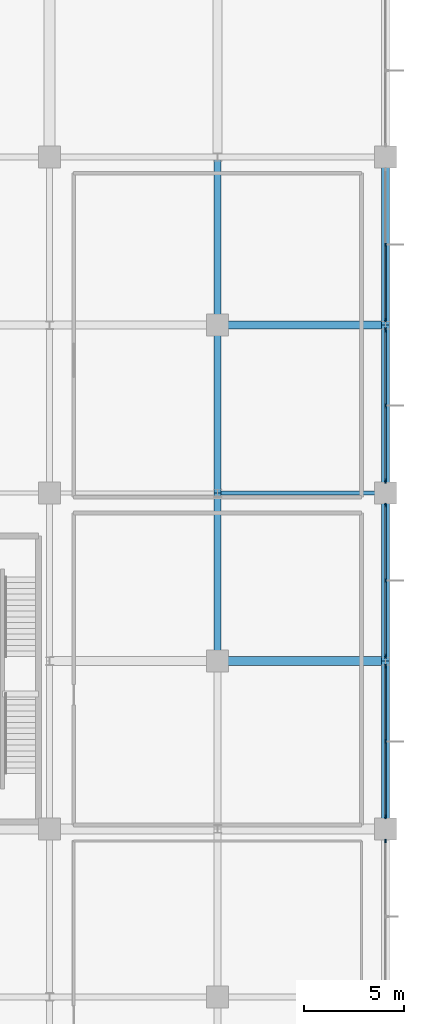
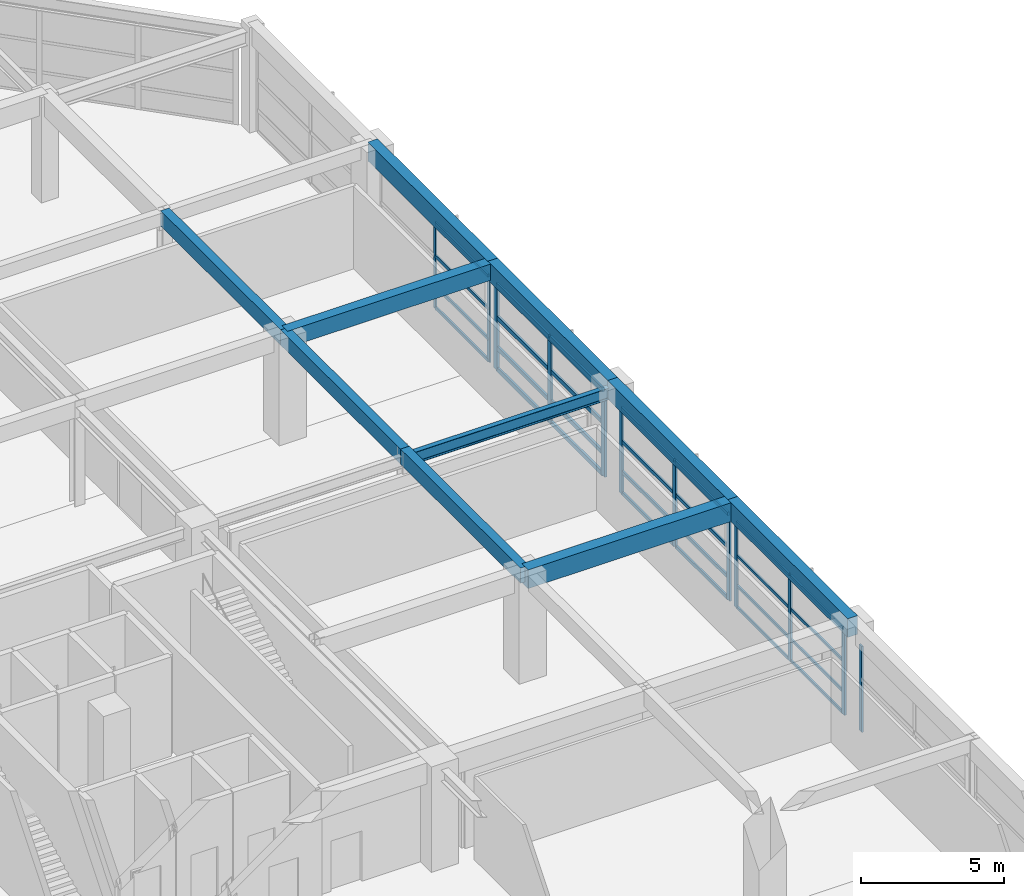
# One storey, part 38 of 62: 40 members, 10 beams, 5 elements without a shape of their own.
"""IFC4 building model written with IfcOpenShell, lengths in metres."""

from ifc_helpers import new_model, si_unit, direction, frame, origin, origin_2d, place, context, subcontext, project, spatial, rectangle, i_section, extrude, material, material_profile, profile_set, type_object, element, aggregate, save


model = new_model("IFC4")

# Units and contexts
model_context = context("Model", 3, precision=1e-05, world=origin(), true_north=direction((0.0, 1.0)))
body_context = subcontext(model_context, "Body", "Model", "MODEL_VIEW")
ifc_project = project(units=[si_unit("LENGTHUNIT", "METRE"), si_unit("AREAUNIT", "SQUARE_METRE"), si_unit("VOLUMEUNIT", "CUBIC_METRE"), si_unit("PLANEANGLEUNIT", "RADIAN"), si_unit("MASSUNIT", "GRAM", prefix="KILO")], contexts=[model_context])

# Site, building, storey
site_placement = place(None, origin())
site = spatial("IfcSite", under=ifc_project, at=site_placement, CompositionType="ELEMENT")
building_placement = place(site_placement, origin())
building = spatial("IfcBuilding", under=site, at=building_placement, Name="Xuanlan Plaza Opera House", CompositionType="ELEMENT")
storey_placement = place(building_placement, frame((0.0, 0.0, 14.39990234375)))
storey = spatial("IfcBuildingStorey", under=building, at=storey_placement, Name="L03", CompositionType="ELEMENT", Elevation=14.39990234375)

# Curtain wall, members
ifc_material_1 = material(Name="Anodised Aluminium 6063-T6 and Low-E Glass", Category="aluminium")
curtain_wall_type_1 = type_object("IfcCurtainWallType", Name="ENV-CW-CW-03", PredefinedType="USERDEFINED", material=ifc_material_1)
curtain_wall_1_placement = place(storey_placement, origin())
curtain_wall_1 = element("IfcCurtainWall", 1, at=curtain_wall_1_placement, inside=storey, type_object=curtain_wall_type_1, Name="Unitised Curtain Wall L03-026", ObjectType="UNITISED CURTAIN WALL", PredefinedType="USERDEFINED")
ifc_material_2 = material(Name="Anodised Aluminium 6063-T6", Category="aluminium")
ifc_material_profile_1 = material_profile(ifc_material_2, rectangle(XDim=0.06494140625, YDim=0.159912109375, at=origin_2d()), Name="ALU-M 65x160")
ifc_profile_set_1 = profile_set([ifc_material_profile_1], Name="Anodised Aluminium 6063-T6")
member_type_1 = type_object("IfcMemberType", Name="ENV-CWM-01", PredefinedType="MULLION", material=ifc_profile_set_1)
member_1_placement = place(storey_placement, frame((168.0, 75.8525390625, 0.0), z_axis=(0.0, 0.0, 1.0), x_axis=(-1.0, 0.0, 0.0)))
member_1 = element("IfcMember", 2, at=member_1_placement, type_object=member_type_1, Name="CW-03 mullion 1", PredefinedType="MULLION", context=body_context, shape_type="SweptSolid", body=[
    extrude(rectangle(XDim=0.06494140625, YDim=0.159912109375, at=origin_2d()), origin(), (0.0, 0.0, 1.0), 3.68017578125),
])
member_2_placement = place(storey_placement, frame((168.0, 79.625, 0.0), z_axis=(0.0, 0.0, 1.0), x_axis=(-1.0, 0.0, 0.0)))
member_2 = element("IfcMember", 3, at=member_2_placement, type_object=member_type_1, Name="CW-03 mullion 2", PredefinedType="MULLION", context=body_context, shape_type="SweptSolid", body=[
    extrude(rectangle(XDim=0.06494140625, YDim=0.159912109375, at=origin_2d()), origin(), (0.0, 0.0, 1.0), 3.68017578125),
])

# Curtain wall, member
curtain_wall_2_placement = place(storey_placement, origin())
curtain_wall_2 = element("IfcCurtainWall", 4, at=curtain_wall_2_placement, inside=storey, type_object=curtain_wall_type_1, Name="Unitised Curtain Wall L03-022", ObjectType="UNITISED CURTAIN WALL", PredefinedType="USERDEFINED")
ifc_material_profile_2 = material_profile(ifc_material_2, rectangle(XDim=0.070068359375, YDim=0.179931640625, at=origin_2d()), Name="ALU-M 70x180")
ifc_profile_set_2 = profile_set([ifc_material_profile_2], Name="Anodised Aluminium 6063-T6")
member_type_2 = type_object("IfcMemberType", Name="ENV-CWM-02", PredefinedType="MULLION", material=ifc_profile_set_2)
member_3_placement = place(storey_placement, frame((168.0, 49.794921875, 0.0), z_axis=(0.0, 0.0, 1.0), x_axis=(-1.0, 0.0, 0.0)))
member_3 = element("IfcMember", 5, at=member_3_placement, type_object=member_type_2, Name="CW-03 mullion 3", PredefinedType="MULLION", context=body_context, shape_type="SweptSolid", body=[
    extrude(rectangle(XDim=0.070068359375, YDim=0.179931640625, at=origin_2d()), origin(), (0.0, 0.0, 1.0), 3.68017578125),
])
aggregate(curtain_wall_2, [member_3])

# Curtain wall, members
curtain_wall_type_2 = type_object("IfcCurtainWallType", Name="ENV-CW-CW-04", PredefinedType="USERDEFINED", material=ifc_material_1)
curtain_wall_3_placement = place(storey_placement, origin())
curtain_wall_3 = element("IfcCurtainWall", 6, at=curtain_wall_3_placement, inside=storey, type_object=curtain_wall_type_2, Name="Unitised Curtain Wall L03-023", ObjectType="UNITISED CURTAIN WALL", PredefinedType="USERDEFINED")
ifc_material_profile_3 = material_profile(ifc_material_2, rectangle(XDim=0.074951171875, YDim=0.199951171875, at=origin_2d()), Name="ALU-M 75x200")
ifc_profile_set_3 = profile_set([ifc_material_profile_3], Name="Anodised Aluminium 6063-T6")
member_type_3 = type_object("IfcMemberType", Name="ENV-CWM-03", PredefinedType="MULLION", material=ifc_profile_set_3)
member_4_placement = place(storey_placement, frame((168.0, 51.007568359375, 0.0), z_axis=(0.0, 0.0, 1.0), x_axis=(-1.0, 0.0, 0.0)))
member_4 = element("IfcMember", 7, at=member_4_placement, type_object=member_type_3, Name="CW-04 mullion 1", PredefinedType="MULLION", context=body_context, shape_type="SweptSolid", body=[
    extrude(rectangle(XDim=0.074951171875, YDim=0.199951171875, at=origin_2d()), origin(), (0.0, 0.0, 1.0), 3.68017578125),
])
member_5_placement = place(storey_placement, frame((168.0, 54.77490234375, 0.0), z_axis=(0.0, 0.0, 1.0), x_axis=(-1.0, 0.0, 0.0)))
member_5 = element("IfcMember", 8, at=member_5_placement, type_object=member_type_3, Name="CW-04 mullion 2", PredefinedType="MULLION", context=body_context, shape_type="SweptSolid", body=[
    extrude(rectangle(XDim=0.074951171875, YDim=0.199951171875, at=origin_2d()), origin(), (0.0, 0.0, 1.0), 3.68017578125),
])
member_6_placement = place(storey_placement, frame((168.0, 58.54248046875, 0.0), z_axis=(0.0, 0.0, 1.0), x_axis=(-1.0, 0.0, 0.0)))
member_6 = element("IfcMember", 9, at=member_6_placement, type_object=member_type_3, Name="CW-04 mullion 3", PredefinedType="MULLION", context=body_context, shape_type="SweptSolid", body=[
    extrude(rectangle(XDim=0.074951171875, YDim=0.199951171875, at=origin_2d()), origin(), (0.0, 0.0, 1.0), 3.68017578125),
])

curtain_wall_type_3 = type_object("IfcCurtainWallType", Name="ENV-CW-CW-01", PredefinedType="USERDEFINED", material=ifc_material_1)
curtain_wall_4_placement = place(storey_placement, origin())
curtain_wall_4 = element("IfcCurtainWall", 10, at=curtain_wall_4_placement, inside=storey, type_object=curtain_wall_type_3, Name="Unitised Curtain Wall L03-024", ObjectType="UNITISED CURTAIN WALL", PredefinedType="USERDEFINED")
ifc_material_profile_4 = material_profile(ifc_material_2, rectangle(XDim=0.080078125, YDim=0.219970703125, at=origin_2d()), Name="ALU-M 80x220")
ifc_profile_set_4 = profile_set([ifc_material_profile_4], Name="Anodised Aluminium 6063-T6")
member_type_4 = type_object("IfcMemberType", Name="ENV-CWM-04", PredefinedType="MULLION", material=ifc_profile_set_4)
member_7_placement = place(storey_placement, frame((168.0, 59.06005859375, 0.0), z_axis=(0.0, 0.0, 1.0), x_axis=(-1.0, 0.0, 0.0)))
member_7 = element("IfcMember", 11, at=member_7_placement, type_object=member_type_4, Name="CW-01 mullion 1", PredefinedType="MULLION", context=body_context, shape_type="SweptSolid", body=[
    extrude(rectangle(XDim=0.080078125, YDim=0.219970703125, at=origin_2d()), origin(), (0.0, 0.0, 1.0), 3.68017578125),
])
member_8_placement = place(storey_placement, frame((168.0, 62.824951171875, 0.0), z_axis=(0.0, 0.0, 1.0), x_axis=(-1.0, 0.0, 0.0)))
member_8 = element("IfcMember", 12, at=member_8_placement, type_object=member_type_4, Name="CW-01 mullion 2", PredefinedType="MULLION", context=body_context, shape_type="SweptSolid", body=[
    extrude(rectangle(XDim=0.080078125, YDim=0.219970703125, at=origin_2d()), origin(), (0.0, 0.0, 1.0), 3.68017578125),
])
member_9_placement = place(storey_placement, frame((168.0, 66.590087890625, 0.0), z_axis=(0.0, 0.0, 1.0), x_axis=(-1.0, 0.0, 0.0)))
member_9 = element("IfcMember", 13, at=member_9_placement, type_object=member_type_4, Name="CW-01 mullion 3", PredefinedType="MULLION", context=body_context, shape_type="SweptSolid", body=[
    extrude(rectangle(XDim=0.080078125, YDim=0.219970703125, at=origin_2d()), origin(), (0.0, 0.0, 1.0), 3.68017578125),
])

curtain_wall_type_4 = type_object("IfcCurtainWallType", Name="ENV-CW-CW-02", PredefinedType="USERDEFINED", material=ifc_material_1)
curtain_wall_5_placement = place(storey_placement, origin())
curtain_wall_5 = element("IfcCurtainWall", 14, at=curtain_wall_5_placement, inside=storey, type_object=curtain_wall_type_4, Name="Unitised Curtain Wall L03-025", ObjectType="UNITISED CURTAIN WALL", PredefinedType="USERDEFINED")
ifc_material_profile_5 = material_profile(ifc_material_2, rectangle(XDim=0.090087890625, YDim=0.25, at=origin_2d()), Name="ALU-M 90x250")
ifc_profile_set_5 = profile_set([ifc_material_profile_5], Name="Anodised Aluminium 6063-T6")
member_type_5 = type_object("IfcMemberType", Name="ENV-CWM-05", PredefinedType="MULLION", material=ifc_profile_set_5)
member_10_placement = place(storey_placement, frame((168.0, 67.81494140625, 0.0), z_axis=(0.0, 0.0, 1.0), x_axis=(-1.0, 0.0, 0.0)))
member_10 = element("IfcMember", 15, at=member_10_placement, type_object=member_type_5, Name="CW-02 mullion 1", PredefinedType="MULLION", context=body_context, shape_type="SweptSolid", body=[
    extrude(rectangle(XDim=0.090087890625, YDim=0.25, at=origin_2d()), origin(), (0.0, 0.0, 1.0), 3.68017578125),
])
member_11_placement = place(storey_placement, frame((168.0, 71.574951171875, 0.0), z_axis=(0.0, 0.0, 1.0), x_axis=(-1.0, 0.0, 0.0)))
member_11 = element("IfcMember", 16, at=member_11_placement, type_object=member_type_5, Name="CW-02 mullion 2", PredefinedType="MULLION", context=body_context, shape_type="SweptSolid", body=[
    extrude(rectangle(XDim=0.090087890625, YDim=0.25, at=origin_2d()), origin(), (0.0, 0.0, 1.0), 3.68017578125),
])
member_12_placement = place(storey_placement, frame((168.0, 75.3349609375, 0.0), z_axis=(0.0, 0.0, 1.0), x_axis=(-1.0, 0.0, 0.0)))
member_12 = element("IfcMember", 17, at=member_12_placement, type_object=member_type_5, Name="CW-02 mullion 3", PredefinedType="MULLION", context=body_context, shape_type="SweptSolid", body=[
    extrude(rectangle(XDim=0.090087890625, YDim=0.25, at=origin_2d()), origin(), (0.0, 0.0, 1.0), 3.68017578125),
])

# Member
ifc_material_profile_6 = material_profile(ifc_material_2, rectangle(XDim=0.06494140625, YDim=0.1201171875, at=origin_2d()), Name="ALU-T 65x120")
ifc_profile_set_6 = profile_set([ifc_material_profile_6], Name="Anodised Aluminium 6063-T6")
member_type_6 = type_object("IfcMemberType", Name="ENV-CWT-01", PredefinedType="USERDEFINED", material=ifc_profile_set_6)
member_13_placement = place(storey_placement, frame((168.0, 51.044921875, 0.03271484375), z_axis=(0.0, 1.0, 0.0), x_axis=(-1.0, 0.0, 0.0)))
member_13 = element("IfcMember", 18, at=member_13_placement, type_object=member_type_6, Name="CW-04 transom 1.1", ObjectType="TRANSOM", PredefinedType="USERDEFINED", context=body_context, shape_type="SweptSolid", body=[
    extrude(rectangle(XDim=0.06494140625, YDim=0.1201171875, at=origin_2d()), origin(), (0.0, 0.0, 1.0), 3.692626953125),
])

member_14_placement = place(storey_placement, frame((168.0, 51.044921875, 0.9501953125), z_axis=(0.0, 1.0, 0.0), x_axis=(-1.0, 0.0, 0.0)))
member_14 = element("IfcMember", 19, at=member_14_placement, type_object=member_type_6, Name="CW-04 transom 1.2", ObjectType="TRANSOM", PredefinedType="USERDEFINED", context=body_context, shape_type="SweptSolid", body=[
    extrude(rectangle(XDim=0.06494140625, YDim=0.1201171875, at=origin_2d()), origin(), (0.0, 0.0, 1.0), 3.692626953125),
])

member_15_placement = place(storey_placement, frame((168.0, 51.044921875, 2.25), z_axis=(0.0, 1.0, 0.0), x_axis=(-1.0, 0.0, 0.0)))
member_15 = element("IfcMember", 20, at=member_15_placement, type_object=member_type_6, Name="CW-04 transom 1.3", ObjectType="TRANSOM", PredefinedType="USERDEFINED", context=body_context, shape_type="SweptSolid", body=[
    extrude(rectangle(XDim=0.06494140625, YDim=0.1201171875, at=origin_2d()), origin(), (0.0, 0.0, 1.0), 3.692626953125),
])

member_16_placement = place(storey_placement, frame((168.0, 51.044921875, 3.647705078125), z_axis=(0.0, 1.0, 0.0), x_axis=(-1.0, 0.0, 0.0)))
member_16 = element("IfcMember", 21, at=member_16_placement, type_object=member_type_6, Name="CW-04 transom 1.4", ObjectType="TRANSOM", PredefinedType="USERDEFINED", context=body_context, shape_type="SweptSolid", body=[
    extrude(rectangle(XDim=0.06494140625, YDim=0.1201171875, at=origin_2d()), origin(), (0.0, 0.0, 1.0), 3.692626953125),
])

member_17_placement = place(storey_placement, frame((168.0, 54.8125, 0.03271484375), z_axis=(0.0, 1.0, 0.0), x_axis=(-1.0, 0.0, 0.0)))
member_17 = element("IfcMember", 22, at=member_17_placement, type_object=member_type_6, Name="CW-04 transom 2.1", ObjectType="TRANSOM", PredefinedType="USERDEFINED", context=body_context, shape_type="SweptSolid", body=[
    extrude(rectangle(XDim=0.06494140625, YDim=0.1201171875, at=origin_2d()), origin(), (0.0, 0.0, 1.0), 3.6923828125),
])

member_18_placement = place(storey_placement, frame((168.0, 54.8125, 0.9501953125), z_axis=(0.0, 1.0, 0.0), x_axis=(-1.0, 0.0, 0.0)))
member_18 = element("IfcMember", 23, at=member_18_placement, type_object=member_type_6, Name="CW-04 transom 2.2", ObjectType="TRANSOM", PredefinedType="USERDEFINED", context=body_context, shape_type="SweptSolid", body=[
    extrude(rectangle(XDim=0.06494140625, YDim=0.1201171875, at=origin_2d()), origin(), (0.0, 0.0, 1.0), 3.6923828125),
])

member_19_placement = place(storey_placement, frame((168.0, 54.8125, 2.25), z_axis=(0.0, 1.0, 0.0), x_axis=(-1.0, 0.0, 0.0)))
member_19 = element("IfcMember", 24, at=member_19_placement, type_object=member_type_6, Name="CW-04 transom 2.3", ObjectType="TRANSOM", PredefinedType="USERDEFINED", context=body_context, shape_type="SweptSolid", body=[
    extrude(rectangle(XDim=0.06494140625, YDim=0.1201171875, at=origin_2d()), origin(), (0.0, 0.0, 1.0), 3.6923828125),
])

member_20_placement = place(storey_placement, frame((168.0, 54.8125, 3.647705078125), z_axis=(0.0, 1.0, 0.0), x_axis=(-1.0, 0.0, 0.0)))
member_20 = element("IfcMember", 25, at=member_20_placement, type_object=member_type_6, Name="CW-04 transom 2.4", ObjectType="TRANSOM", PredefinedType="USERDEFINED", context=body_context, shape_type="SweptSolid", body=[
    extrude(rectangle(XDim=0.06494140625, YDim=0.1201171875, at=origin_2d()), origin(), (0.0, 0.0, 1.0), 3.6923828125),
])

aggregate(curtain_wall_3, [member_4, member_5, member_6, member_13, member_14, member_15, member_16, member_17, member_18, member_19, member_20])

ifc_material_profile_7 = material_profile(ifc_material_2, rectangle(XDim=0.070068359375, YDim=0.135009765625, at=origin_2d()), Name="ALU-T 70x135")
ifc_profile_set_7 = profile_set([ifc_material_profile_7], Name="Anodised Aluminium 6063-T6")
member_type_7 = type_object("IfcMemberType", Name="ENV-CWT-02", PredefinedType="USERDEFINED", material=ifc_profile_set_7)
member_21_placement = place(storey_placement, frame((168.0, 75.885009765625, 0.03515625), z_axis=(0.0, 1.0, 0.0), x_axis=(-1.0, 0.0, 0.0)))
member_21 = element("IfcMember", 26, at=member_21_placement, type_object=member_type_7, Name="CW-03 transom 1.1", ObjectType="TRANSOM", PredefinedType="USERDEFINED", context=body_context, shape_type="SweptSolid", body=[
    extrude(rectangle(XDim=0.070068359375, YDim=0.135009765625, at=origin_2d()), origin(), (0.0, 0.0, 1.0), 3.70751953125),
])

member_22_placement = place(storey_placement, frame((168.0, 75.885009765625, 0.9501953125), z_axis=(0.0, 1.0, 0.0), x_axis=(-1.0, 0.0, 0.0)))
member_22 = element("IfcMember", 27, at=member_22_placement, type_object=member_type_7, Name="CW-03 transom 1.2", ObjectType="TRANSOM", PredefinedType="USERDEFINED", context=body_context, shape_type="SweptSolid", body=[
    extrude(rectangle(XDim=0.070068359375, YDim=0.135009765625, at=origin_2d()), origin(), (0.0, 0.0, 1.0), 3.70751953125),
])

member_23_placement = place(storey_placement, frame((168.0, 75.885009765625, 2.25), z_axis=(0.0, 1.0, 0.0), x_axis=(-1.0, 0.0, 0.0)))
member_23 = element("IfcMember", 28, at=member_23_placement, type_object=member_type_7, Name="CW-03 transom 1.3", ObjectType="TRANSOM", PredefinedType="USERDEFINED", context=body_context, shape_type="SweptSolid", body=[
    extrude(rectangle(XDim=0.070068359375, YDim=0.135009765625, at=origin_2d()), origin(), (0.0, 0.0, 1.0), 3.70751953125),
])

member_24_placement = place(storey_placement, frame((168.0, 75.885009765625, 3.64501953125), z_axis=(0.0, 1.0, 0.0), x_axis=(-1.0, 0.0, 0.0)))
member_24 = element("IfcMember", 29, at=member_24_placement, type_object=member_type_7, Name="CW-03 transom 1.4", ObjectType="TRANSOM", PredefinedType="USERDEFINED", context=body_context, shape_type="SweptSolid", body=[
    extrude(rectangle(XDim=0.070068359375, YDim=0.135009765625, at=origin_2d()), origin(), (0.0, 0.0, 1.0), 3.70751953125),
])

aggregate(curtain_wall_1, [member_1, member_2, member_21, member_22, member_23, member_24])

ifc_material_profile_8 = material_profile(ifc_material_2, rectangle(XDim=0.074951171875, YDim=0.14990234375, at=origin_2d()), Name="ALU-T 75x150")
ifc_profile_set_8 = profile_set([ifc_material_profile_8], Name="Anodised Aluminium 6063-T6")
member_type_8 = type_object("IfcMemberType", Name="ENV-CWT-03", PredefinedType="USERDEFINED", material=ifc_profile_set_8)
member_25_placement = place(storey_placement, frame((168.0, 59.10009765625, 0.03759765625), z_axis=(0.0, 1.0, 0.0), x_axis=(-1.0, 0.0, 0.0)))
member_25 = element("IfcMember", 30, at=member_25_placement, type_object=member_type_8, Name="CW-01 transom 1.1", ObjectType="TRANSOM", PredefinedType="USERDEFINED", context=body_context, shape_type="SweptSolid", body=[
    extrude(rectangle(XDim=0.074951171875, YDim=0.14990234375, at=origin_2d()), origin(), (0.0, 0.0, 1.0), 3.684814453125),
])

member_26_placement = place(storey_placement, frame((168.0, 59.10009765625, 0.9501953125), z_axis=(0.0, 1.0, 0.0), x_axis=(-1.0, 0.0, 0.0)))
member_26 = element("IfcMember", 31, at=member_26_placement, type_object=member_type_8, Name="CW-01 transom 1.2", ObjectType="TRANSOM", PredefinedType="USERDEFINED", context=body_context, shape_type="SweptSolid", body=[
    extrude(rectangle(XDim=0.074951171875, YDim=0.14990234375, at=origin_2d()), origin(), (0.0, 0.0, 1.0), 3.684814453125),
])

member_27_placement = place(storey_placement, frame((168.0, 59.10009765625, 2.25), z_axis=(0.0, 1.0, 0.0), x_axis=(-1.0, 0.0, 0.0)))
member_27 = element("IfcMember", 32, at=member_27_placement, type_object=member_type_8, Name="CW-01 transom 1.3", ObjectType="TRANSOM", PredefinedType="USERDEFINED", context=body_context, shape_type="SweptSolid", body=[
    extrude(rectangle(XDim=0.074951171875, YDim=0.14990234375, at=origin_2d()), origin(), (0.0, 0.0, 1.0), 3.684814453125),
])

member_28_placement = place(storey_placement, frame((168.0, 59.10009765625, 3.642578125), z_axis=(0.0, 1.0, 0.0), x_axis=(-1.0, 0.0, 0.0)))
member_28 = element("IfcMember", 33, at=member_28_placement, type_object=member_type_8, Name="CW-01 transom 1.4", ObjectType="TRANSOM", PredefinedType="USERDEFINED", context=body_context, shape_type="SweptSolid", body=[
    extrude(rectangle(XDim=0.074951171875, YDim=0.14990234375, at=origin_2d()), origin(), (0.0, 0.0, 1.0), 3.684814453125),
])

member_29_placement = place(storey_placement, frame((168.0, 62.864990234375, 0.03759765625), z_axis=(0.0, 1.0, 0.0), x_axis=(-1.0, 0.0, 0.0)))
member_29 = element("IfcMember", 34, at=member_29_placement, type_object=member_type_8, Name="CW-01 transom 2.1", ObjectType="TRANSOM", PredefinedType="USERDEFINED", context=body_context, shape_type="SweptSolid", body=[
    extrude(rectangle(XDim=0.074951171875, YDim=0.14990234375, at=origin_2d()), origin(), (0.0, 0.0, 1.0), 3.68505859375),
])

member_30_placement = place(storey_placement, frame((168.0, 62.864990234375, 0.9501953125), z_axis=(0.0, 1.0, 0.0), x_axis=(-1.0, 0.0, 0.0)))
member_30 = element("IfcMember", 35, at=member_30_placement, type_object=member_type_8, Name="CW-01 transom 2.2", ObjectType="TRANSOM", PredefinedType="USERDEFINED", context=body_context, shape_type="SweptSolid", body=[
    extrude(rectangle(XDim=0.074951171875, YDim=0.14990234375, at=origin_2d()), origin(), (0.0, 0.0, 1.0), 3.68505859375),
])

member_31_placement = place(storey_placement, frame((168.0, 62.864990234375, 2.25), z_axis=(0.0, 1.0, 0.0), x_axis=(-1.0, 0.0, 0.0)))
member_31 = element("IfcMember", 36, at=member_31_placement, type_object=member_type_8, Name="CW-01 transom 2.3", ObjectType="TRANSOM", PredefinedType="USERDEFINED", context=body_context, shape_type="SweptSolid", body=[
    extrude(rectangle(XDim=0.074951171875, YDim=0.14990234375, at=origin_2d()), origin(), (0.0, 0.0, 1.0), 3.68505859375),
])

member_32_placement = place(storey_placement, frame((168.0, 62.864990234375, 3.642578125), z_axis=(0.0, 1.0, 0.0), x_axis=(-1.0, 0.0, 0.0)))
member_32 = element("IfcMember", 37, at=member_32_placement, type_object=member_type_8, Name="CW-01 transom 2.4", ObjectType="TRANSOM", PredefinedType="USERDEFINED", context=body_context, shape_type="SweptSolid", body=[
    extrude(rectangle(XDim=0.074951171875, YDim=0.14990234375, at=origin_2d()), origin(), (0.0, 0.0, 1.0), 3.68505859375),
])

aggregate(curtain_wall_4, [member_7, member_8, member_9, member_25, member_26, member_27, member_28, member_29, member_30, member_31, member_32])

ifc_material_profile_9 = material_profile(ifc_material_2, rectangle(XDim=0.090087890625, YDim=0.179931640625, at=origin_2d()), Name="ALU-T 90x180")
ifc_profile_set_9 = profile_set([ifc_material_profile_9], Name="Anodised Aluminium 6063-T6")
member_type_9 = type_object("IfcMemberType", Name="ENV-CWT-05", PredefinedType="USERDEFINED", material=ifc_profile_set_9)
member_33_placement = place(storey_placement, frame((168.0, 67.860107421875, 0.045166015625), z_axis=(0.0, 1.0, 0.0), x_axis=(-1.0, 0.0, 0.0)))
member_33 = element("IfcMember", 38, at=member_33_placement, type_object=member_type_9, Name="CW-02 transom 1.1", ObjectType="TRANSOM", PredefinedType="USERDEFINED", context=body_context, shape_type="SweptSolid", body=[
    extrude(rectangle(XDim=0.090087890625, YDim=0.179931640625, at=origin_2d()), origin(), (0.0, 0.0, 1.0), 3.669921875),
])

member_34_placement = place(storey_placement, frame((168.0, 67.860107421875, 0.9501953125), z_axis=(0.0, 1.0, 0.0), x_axis=(-1.0, 0.0, 0.0)))
member_34 = element("IfcMember", 39, at=member_34_placement, type_object=member_type_9, Name="CW-02 transom 1.2", ObjectType="TRANSOM", PredefinedType="USERDEFINED", context=body_context, shape_type="SweptSolid", body=[
    extrude(rectangle(XDim=0.090087890625, YDim=0.179931640625, at=origin_2d()), origin(), (0.0, 0.0, 1.0), 3.669921875),
])

member_35_placement = place(storey_placement, frame((168.0, 67.860107421875, 2.25), z_axis=(0.0, 1.0, 0.0), x_axis=(-1.0, 0.0, 0.0)))
member_35 = element("IfcMember", 40, at=member_35_placement, type_object=member_type_9, Name="CW-02 transom 1.3", ObjectType="TRANSOM", PredefinedType="USERDEFINED", context=body_context, shape_type="SweptSolid", body=[
    extrude(rectangle(XDim=0.090087890625, YDim=0.179931640625, at=origin_2d()), origin(), (0.0, 0.0, 1.0), 3.669921875),
])

member_36_placement = place(storey_placement, frame((168.0, 67.860107421875, 3.635009765625), z_axis=(0.0, 1.0, 0.0), x_axis=(-1.0, 0.0, 0.0)))
member_36 = element("IfcMember", 41, at=member_36_placement, type_object=member_type_9, Name="CW-02 transom 1.4", ObjectType="TRANSOM", PredefinedType="USERDEFINED", context=body_context, shape_type="SweptSolid", body=[
    extrude(rectangle(XDim=0.090087890625, YDim=0.179931640625, at=origin_2d()), origin(), (0.0, 0.0, 1.0), 3.669921875),
])

member_37_placement = place(storey_placement, frame((168.0, 71.6201171875, 0.045166015625), z_axis=(0.0, 1.0, 0.0), x_axis=(-1.0, 0.0, 0.0)))
member_37 = element("IfcMember", 42, at=member_37_placement, type_object=member_type_9, Name="CW-02 transom 2.1", ObjectType="TRANSOM", PredefinedType="USERDEFINED", context=body_context, shape_type="SweptSolid", body=[
    extrude(rectangle(XDim=0.090087890625, YDim=0.179931640625, at=origin_2d()), origin(), (0.0, 0.0, 1.0), 3.669921875),
])

member_38_placement = place(storey_placement, frame((168.0, 71.6201171875, 0.9501953125), z_axis=(0.0, 1.0, 0.0), x_axis=(-1.0, 0.0, 0.0)))
member_38 = element("IfcMember", 43, at=member_38_placement, type_object=member_type_9, Name="CW-02 transom 2.2", ObjectType="TRANSOM", PredefinedType="USERDEFINED", context=body_context, shape_type="SweptSolid", body=[
    extrude(rectangle(XDim=0.090087890625, YDim=0.179931640625, at=origin_2d()), origin(), (0.0, 0.0, 1.0), 3.669921875),
])

member_39_placement = place(storey_placement, frame((168.0, 71.6201171875, 2.25), z_axis=(0.0, 1.0, 0.0), x_axis=(-1.0, 0.0, 0.0)))
member_39 = element("IfcMember", 44, at=member_39_placement, type_object=member_type_9, Name="CW-02 transom 2.3", ObjectType="TRANSOM", PredefinedType="USERDEFINED", context=body_context, shape_type="SweptSolid", body=[
    extrude(rectangle(XDim=0.090087890625, YDim=0.179931640625, at=origin_2d()), origin(), (0.0, 0.0, 1.0), 3.669921875),
])

member_40_placement = place(storey_placement, frame((168.0, 71.6201171875, 3.635009765625), z_axis=(0.0, 1.0, 0.0), x_axis=(-1.0, 0.0, 0.0)))
member_40 = element("IfcMember", 45, at=member_40_placement, type_object=member_type_9, Name="CW-02 transom 2.4", ObjectType="TRANSOM", PredefinedType="USERDEFINED", context=body_context, shape_type="SweptSolid", body=[
    extrude(rectangle(XDim=0.090087890625, YDim=0.179931640625, at=origin_2d()), origin(), (0.0, 0.0, 1.0), 3.669921875),
])

aggregate(curtain_wall_5, [member_10, member_11, member_12, member_33, member_34, member_35, member_36, member_37, member_38, member_39, member_40])

# Beams
ifc_material_3 = material(Name="Concrete C40", Category="concrete")
ifc_material_profile_10 = material_profile(ifc_material_3, rectangle(XDim=0.449951171875, YDim=0.800048828125, at=origin_2d()), Name="RC-BM 450x800")
ifc_profile_set_10 = profile_set([ifc_material_profile_10], Name="Concrete C40")
beam_type_1 = type_object("IfcBeamType", Name="STR-BM-B-05", PredefinedType="BEAM", material=ifc_profile_set_10)
beam_1_placement = place(storey_placement, frame((159.60009765625, 58.800048828125, 4.10009765625), z_axis=(1.0, 0.0, 0.0), x_axis=(0.0, 1.0, 0.0)))
element("IfcBeam", 46, at=beam_1_placement, inside=storey, type_object=beam_type_1, Name="Grid Beam X L03 20-21/H", PredefinedType="BEAM", context=body_context, shape_type="SweptSolid", body=[
    extrude(rectangle(XDim=0.449951171875, YDim=0.800048828125, at=origin_2d()), origin(), (0.0, 0.0, 1.0), 8.39990234375),
])
ifc_material_profile_11 = material_profile(ifc_material_3, rectangle(XDim=0.39990234375, YDim=0.699951171875, at=origin_2d()), Name="RC-BM 400x700")
ifc_profile_set_11 = profile_set([ifc_material_profile_11], Name="Concrete C40")
beam_type_2 = type_object("IfcBeamType", Name="STR-BM-B-07", PredefinedType="BEAM", material=ifc_profile_set_11)
beam_2_placement = place(storey_placement, frame((159.60009765625, 75.60009765625, 4.150146484375), z_axis=(1.0, 0.0, 0.0), x_axis=(0.0, 1.0, 0.0)))
element("IfcBeam", 47, at=beam_2_placement, inside=storey, type_object=beam_type_2, Name="Grid Beam X L03 20-21/J", PredefinedType="BEAM", context=body_context, shape_type="SweptSolid", body=[
    extrude(rectangle(XDim=0.39990234375, YDim=0.699951171875, at=origin_2d()), origin(), (0.0, 0.0, 1.0), 8.39990234375),
])
ifc_material_profile_12 = material_profile(ifc_material_3, rectangle(XDim=0.35009765625, YDim=0.64990234375, at=origin_2d()), Name="RC-BM 350x650")
ifc_profile_set_12 = profile_set([ifc_material_profile_12], Name="Concrete C40")
beam_type_3 = type_object("IfcBeamType", Name="STR-BM-B-08", PredefinedType="BEAM", material=ifc_profile_set_12)
beam_3_placement = place(storey_placement, frame((159.60009765625, 58.800048828125, 4.175048828125), z_axis=(0.0, 1.0, 0.0), x_axis=(-1.0, 0.0, 0.0)))
element("IfcBeam", 48, at=beam_3_placement, inside=storey, type_object=beam_type_3, Name="Grid Beam Y L03 20/H-I", PredefinedType="BEAM", context=body_context, shape_type="SweptSolid", body=[
    extrude(rectangle(XDim=0.35009765625, YDim=0.64990234375, at=origin_2d()), origin(), (0.0, 0.0, 1.0), 8.39990234375),
])
beam_4_placement = place(storey_placement, frame((159.60009765625, 67.199951171875, 4.175048828125), z_axis=(0.0, 1.0, 0.0), x_axis=(-1.0, 0.0, 0.0)))
element("IfcBeam", 49, at=beam_4_placement, inside=storey, type_object=beam_type_3, Name="Grid Beam Y L03 20/I-J", PredefinedType="BEAM", context=body_context, shape_type="SweptSolid", body=[
    extrude(rectangle(XDim=0.35009765625, YDim=0.64990234375, at=origin_2d()), origin(), (0.0, 0.0, 1.0), 8.400146484375),
])
beam_5_placement = place(storey_placement, frame((159.60009765625, 75.60009765625, 4.175048828125), z_axis=(0.0, 1.0, 0.0), x_axis=(-1.0, 0.0, 0.0)))
element("IfcBeam", 50, at=beam_5_placement, inside=storey, type_object=beam_type_3, Name="Grid Beam Y L03 20/J-K", PredefinedType="BEAM", context=body_context, shape_type="SweptSolid", body=[
    extrude(rectangle(XDim=0.35009765625, YDim=0.64990234375, at=origin_2d()), origin(), (0.0, 0.0, 1.0), 8.39990234375),
])
ifc_material_4 = material(Name="Steel Q355B", Category="steel")
ifc_material_profile_13 = material_profile(ifc_material_4, i_section(OverallWidth=0.199951171875, OverallDepth=0.5, WebThickness=0.010009765625, FlangeThickness=0.01611328125, FilletRadius=0.02001953125, at=origin_2d()), Name="HN 500x200x10x16")
ifc_profile_set_13 = profile_set([ifc_material_profile_13], Name="Steel Q355B")
beam_type_4 = type_object("IfcBeamType", Name="STR-BM-SB-05", PredefinedType="BEAM", material=ifc_profile_set_13)
beam_6_placement = place(storey_placement, frame((159.60009765625, 67.199951171875, 3.985107421875), z_axis=(1.0, 0.0, 0.0), x_axis=(0.0, 1.0, 0.0)))
element("IfcBeam", 51, at=beam_6_placement, inside=storey, type_object=beam_type_4, Name="Grid Beam X L03 20-21/I", PredefinedType="BEAM", context=body_context, shape_type="SweptSolid", body=[
    extrude(i_section(OverallWidth=0.199951171875, OverallDepth=0.5, WebThickness=0.010009765625, FlangeThickness=0.01611328125, FilletRadius=0.02001953125, at=origin_2d()), origin(), (0.0, 0.0, 1.0), 8.39990234375),
])
ifc_material_profile_14 = material_profile(ifc_material_3, rectangle(XDim=0.39990234375, YDim=0.800048828125, at=origin_2d()), Name="RC-SPD 400x800")
ifc_profile_set_14 = profile_set([ifc_material_profile_14], Name="Concrete C40")
beam_type_5 = type_object("IfcBeamType", Name="STR-BM-SP-01", PredefinedType="SPANDREL", material=ifc_profile_set_14)
beam_7_placement = place(storey_placement, frame((168.0, 50.39990234375, 4.10009765625), z_axis=(0.0, 1.0, 0.0), x_axis=(-1.0, 0.0, 0.0)))
element("IfcBeam", 52, at=beam_7_placement, inside=storey, type_object=beam_type_5, Name="Grid Beam Y L03 21/G-H", PredefinedType="SPANDREL", context=body_context, shape_type="SweptSolid", body=[
    extrude(rectangle(XDim=0.39990234375, YDim=0.800048828125, at=origin_2d()), origin(), (0.0, 0.0, 1.0), 8.400146484375),
])
beam_8_placement = place(storey_placement, frame((168.0, 58.800048828125, 4.10009765625), z_axis=(0.0, 1.0, 0.0), x_axis=(-1.0, 0.0, 0.0)))
element("IfcBeam", 53, at=beam_8_placement, inside=storey, type_object=beam_type_5, Name="Grid Beam Y L03 21/H-I", PredefinedType="SPANDREL", context=body_context, shape_type="SweptSolid", body=[
    extrude(rectangle(XDim=0.39990234375, YDim=0.800048828125, at=origin_2d()), origin(), (0.0, 0.0, 1.0), 8.39990234375),
])
beam_9_placement = place(storey_placement, frame((168.0, 67.199951171875, 4.10009765625), z_axis=(0.0, 1.0, 0.0), x_axis=(-1.0, 0.0, 0.0)))
element("IfcBeam", 54, at=beam_9_placement, inside=storey, type_object=beam_type_5, Name="Grid Beam Y L03 21/I-J", PredefinedType="SPANDREL", context=body_context, shape_type="SweptSolid", body=[
    extrude(rectangle(XDim=0.39990234375, YDim=0.800048828125, at=origin_2d()), origin(), (0.0, 0.0, 1.0), 8.400146484375),
])
beam_10_placement = place(storey_placement, frame((168.0, 75.60009765625, 4.10009765625), z_axis=(0.0, 1.0, 0.0), x_axis=(-1.0, 0.0, 0.0)))
element("IfcBeam", 55, at=beam_10_placement, inside=storey, type_object=beam_type_5, Name="Grid Beam Y L03 21/J-K", PredefinedType="SPANDREL", context=body_context, shape_type="SweptSolid", body=[
    extrude(rectangle(XDim=0.39990234375, YDim=0.800048828125, at=origin_2d()), origin(), (0.0, 0.0, 1.0), 8.39990234375),
])

save(model, "model.ifc")
